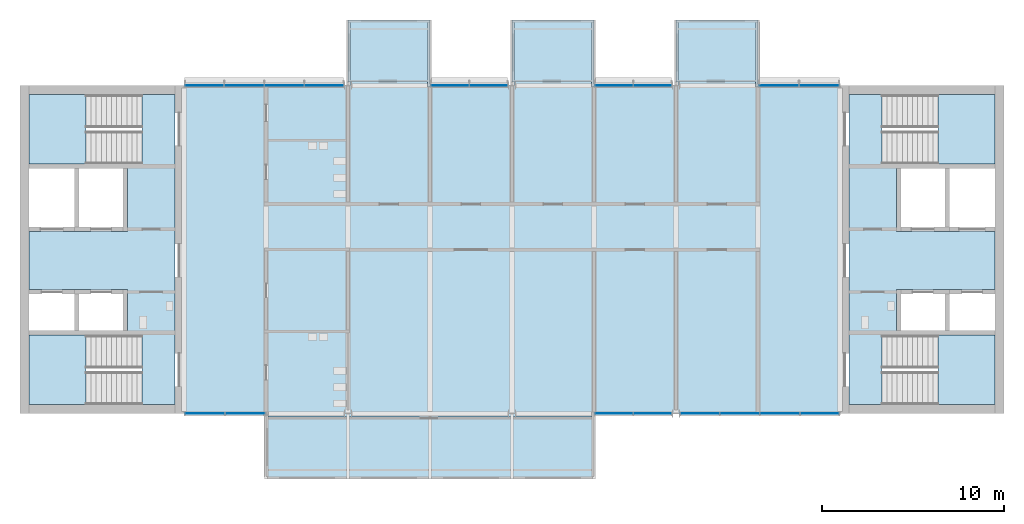
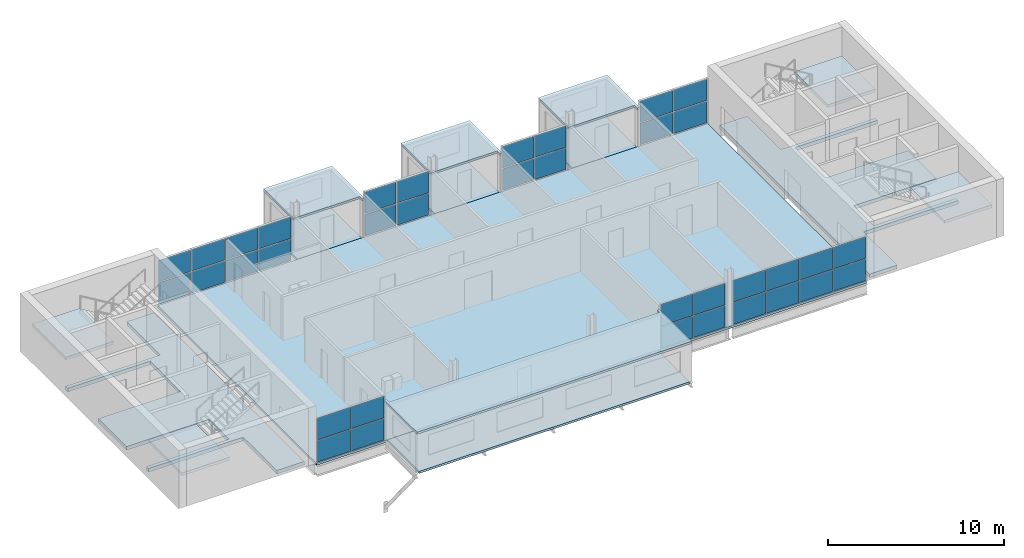
# One storey, part 4 of 12: 36 plates, 15 slabs, 11 elements without a shape of their own.
"""IFC4 building model written with IfcOpenShell, lengths in metres."""

from ifc_helpers import new_model, si_unit, direction, frame, origin, origin_2d, place, context, subcontext, project, spatial, polyline, rectangle, outline, extrude, material, layer, layer_set, type_object, element, aggregate, save


model = new_model("IFC4")

# Units and contexts
model_context = context("Model", 3, precision=1e-05, world=origin(), true_north=direction((0.0, 1.0)))
body_context = subcontext(model_context, "Body", "Model", "MODEL_VIEW")
ifc_project = project(units=[si_unit("LENGTHUNIT", "METRE"), si_unit("AREAUNIT", "SQUARE_METRE"), si_unit("VOLUMEUNIT", "CUBIC_METRE"), si_unit("PLANEANGLEUNIT", "RADIAN"), si_unit("MASSUNIT", "GRAM", prefix="KILO")], contexts=[model_context])

# Site, building, storey
site_placement = place(None, origin())
site = spatial("IfcSite", under=ifc_project, at=site_placement, CompositionType="ELEMENT")
building_placement = place(site_placement, origin())
building = spatial("IfcBuilding", under=site, at=building_placement, Name="Corbel Yard City Hall", CompositionType="ELEMENT")
storey_placement = place(building_placement, frame((0.0, 0.0, 31.199951171875)))
storey = spatial("IfcBuildingStorey", under=building, at=storey_placement, Name="L07", CompositionType="ELEMENT", Elevation=31.199951171875)

# Slabs
ifc_material_1 = material(Name="Concrete N40 (40 MPa)", Category="concrete")
ifc_layer_1 = layer(ifc_material_1, 0.25)
ifc_layer_set_1 = layer_set([ifc_layer_1], Name="Concrete N40 (40 MPa)")
slab_type_1 = type_object("IfcSlabType", Name="CF1", PredefinedType="FLOOR", material=ifc_layer_set_1)
slab_1_placement = place(storey_placement, frame((0.0, 0.0, -0.25)))
element("IfcSlab", 1, at=slab_1_placement, inside=storey, type_object=slab_type_1, Name="Core floor slab", PredefinedType="FLOOR", context=body_context, shape_type="SweptSolid", body=[
    extrude(outline(polyline([(8.5, 116.5), (6.698974609375, 116.5), (6.698974609375, 112.699951171875), (0.5, 112.699951171875), (0.5, 112.449951171875), (5.89990234375, 112.449951171875), (5.89990234375, 109.0), (0.5, 109.0), (0.5, 105.800048828125), (5.89990234375, 105.800048828125), (5.89990234375, 103.550048828125), (0.5, 103.550048828125), (0.5, 103.300048828125), (6.698974609375, 103.300048828125), (6.698974609375, 99.5), (8.5, 99.5), (8.5, 116.5)])), origin(), (0.0, 0.0, 1.0), 0.25),
])
slab_2_placement = place(storey_placement, frame((0.0, 0.0, -0.25)))
element("IfcSlab", 2, at=slab_2_placement, inside=storey, type_object=slab_type_1, Name="Core floor slab", PredefinedType="FLOOR", context=body_context, shape_type="SweptSolid", body=[
    extrude(outline(polyline([(53.5, 103.300048828125), (53.5, 103.550048828125), (48.10009765625, 103.550048828125), (48.10009765625, 105.800048828125), (53.5, 105.800048828125), (53.5, 109.0), (48.10009765625, 109.0), (48.10009765625, 112.449951171875), (53.5, 112.449951171875), (53.5, 112.699951171875), (47.301025390625, 112.699951171875), (47.301025390625, 116.5), (45.5, 116.5), (45.5, 99.5), (47.301025390625, 99.5), (47.301025390625, 103.300048828125), (53.5, 103.300048828125)])), origin(), (0.0, 0.0, 1.0), 0.25),
])
ifc_layer_2 = layer(ifc_material_1, 0.14990234375)
ifc_layer_set_2 = layer_set([ifc_layer_2], Name="Concrete N40 (40 MPa)")
slab_type_2 = type_object("IfcSlabType", Name="Floor slab 150", PredefinedType="FLOOR", material=ifc_layer_set_2)
slab_3_placement = place(storey_placement, frame((0.0, 0.0, -0.14990234375)))
element("IfcSlab", 3, at=slab_3_placement, inside=storey, type_object=slab_type_2, Name="Tower floor slab L07", PredefinedType="FLOOR", context=body_context, shape_type="SweptSolid", body=[
    extrude(outline(polyline([(45.0, 99.0), (45.0, 117.0), (9.0, 117.0), (9.0, 99.0), (45.0, 99.0)])), origin(), (0.0, 0.0, 1.0), 0.14990234375),
])

# Stair, slab
stair_type = type_object("IfcStairType", Name="ST4", PredefinedType="HALF_TURN_STAIR", material=ifc_material_1)
stair_1_placement = place(storey_placement, origin())
stair_1 = element("IfcStair", 4, at=stair_1_placement, inside=storey, type_object=stair_type, Name="Exit stair ST-W1 L07", PredefinedType="HALF_TURN_STAIR")
ifc_layer_3 = layer(ifc_material_1, 0.199951171875)
ifc_layer_set_3 = layer_set([ifc_layer_3], Name="Concrete N40 (40 MPa)")
slab_type_3 = type_object("IfcSlabType", Name="LN1", PredefinedType="LANDING", material=ifc_layer_set_3)
slab_4_placement = place(storey_placement, frame((0.0, 0.0, 1.800048828125)))
slab_4 = element("IfcSlab", 5, at=slab_4_placement, type_object=slab_type_3, Name="ST-W1 landing 1", PredefinedType="LANDING", context=body_context, shape_type="SweptSolid", body=[
    extrude(outline(polyline([(0.5, 99.5), (3.6201171875, 99.5), (3.6201171875, 103.300048828125), (0.5, 103.300048828125), (0.5, 99.5)])), origin(), (0.0, 0.0, 1.0), 0.199951171875),
])
aggregate(stair_1, [slab_4])

stair_2_placement = place(storey_placement, origin())
stair_2 = element("IfcStair", 6, at=stair_2_placement, inside=storey, type_object=stair_type, Name="Exit stair ST-W2 L07", PredefinedType="HALF_TURN_STAIR")
slab_5_placement = place(storey_placement, frame((0.0, 0.0, 1.800048828125)))
slab_5 = element("IfcSlab", 7, at=slab_5_placement, type_object=slab_type_3, Name="ST-W2 landing 1", PredefinedType="LANDING", context=body_context, shape_type="SweptSolid", body=[
    extrude(outline(polyline([(0.5, 112.699951171875), (3.6201171875, 112.699951171875), (3.6201171875, 116.5), (0.5, 116.5), (0.5, 112.699951171875)])), origin(), (0.0, 0.0, 1.0), 0.199951171875),
])
aggregate(stair_2, [slab_5])

stair_3_placement = place(storey_placement, origin())
stair_3 = element("IfcStair", 8, at=stair_3_placement, inside=storey, type_object=stair_type, Name="Exit stair ST-E1 L07", PredefinedType="HALF_TURN_STAIR")
slab_6_placement = place(storey_placement, frame((0.0, 0.0, 1.800048828125)))
slab_6 = element("IfcSlab", 9, at=slab_6_placement, type_object=slab_type_3, Name="ST-E1 landing 1", PredefinedType="LANDING", context=body_context, shape_type="SweptSolid", body=[
    extrude(outline(polyline([(50.3798828125, 99.5), (53.5, 99.5), (53.5, 103.300048828125), (50.3798828125, 103.300048828125), (50.3798828125, 99.5)])), origin(), (0.0, 0.0, 1.0), 0.199951171875),
])
aggregate(stair_3, [slab_6])

stair_4_placement = place(storey_placement, origin())
stair_4 = element("IfcStair", 10, at=stair_4_placement, inside=storey, type_object=stair_type, Name="Exit stair ST-E2 L07", PredefinedType="HALF_TURN_STAIR")
slab_7_placement = place(storey_placement, frame((0.0, 0.0, 1.800048828125)))
slab_7 = element("IfcSlab", 11, at=slab_7_placement, type_object=slab_type_3, Name="ST-E2 landing 1", PredefinedType="LANDING", context=body_context, shape_type="SweptSolid", body=[
    extrude(outline(polyline([(50.3798828125, 112.699951171875), (53.5, 112.699951171875), (53.5, 116.5), (50.3798828125, 116.5), (50.3798828125, 112.699951171875)])), origin(), (0.0, 0.0, 1.0), 0.199951171875),
])
aggregate(stair_4, [slab_7])

# Slabs
ifc_material_2 = material(Name="Concrete N32 (32 MPa)", Category="concrete")
ifc_layer_4 = layer(ifc_material_2, 0.14990234375)
ifc_layer_set_4 = layer_set([ifc_layer_4], Name="Concrete N32 (32 MPa)")
slab_type_4 = type_object("IfcSlabType", Name="PF1", PredefinedType="FLOOR", material=ifc_layer_set_4)
slab_8_placement = place(storey_placement, frame((0.0, 0.0, -0.14990234375)))
element("IfcSlab", 12, at=slab_8_placement, inside=storey, type_object=slab_type_4, Name="Pod floor slab L07", PredefinedType="FLOOR", context=body_context, shape_type="SweptSolid", body=[
    extrude(outline(polyline([(13.64990234375, 95.39990234375), (31.35009765625, 95.39990234375), (31.35009765625, 99.0), (13.64990234375, 99.0), (13.64990234375, 95.39990234375)])), origin(), (0.0, 0.0, 1.0), 0.14990234375),
])
slab_9_placement = place(storey_placement, frame((0.0, 0.0, -0.14990234375)))
element("IfcSlab", 13, at=slab_9_placement, inside=storey, type_object=slab_type_4, Name="Pod floor slab L07", PredefinedType="FLOOR", context=body_context, shape_type="SweptSolid", body=[
    extrude(outline(polyline([(18.14990234375, 117.0), (22.35009765625, 117.0), (22.35009765625, 120.60009765625), (18.14990234375, 120.60009765625), (18.14990234375, 117.0)])), origin(), (0.0, 0.0, 1.0), 0.14990234375),
])
slab_10_placement = place(storey_placement, frame((0.0, 0.0, -0.14990234375)))
element("IfcSlab", 14, at=slab_10_placement, inside=storey, type_object=slab_type_4, Name="Pod floor slab L07", PredefinedType="FLOOR", context=body_context, shape_type="SweptSolid", body=[
    extrude(outline(polyline([(27.14990234375, 117.0), (31.35009765625, 117.0), (31.35009765625, 120.60009765625), (27.14990234375, 120.60009765625), (27.14990234375, 117.0)])), origin(), (0.0, 0.0, 1.0), 0.14990234375),
])
slab_11_placement = place(storey_placement, frame((0.0, 0.0, -0.14990234375)))
element("IfcSlab", 15, at=slab_11_placement, inside=storey, type_object=slab_type_4, Name="Pod floor slab L07", PredefinedType="FLOOR", context=body_context, shape_type="SweptSolid", body=[
    extrude(outline(polyline([(36.14990234375, 117.0), (40.35009765625, 117.0), (40.35009765625, 120.60009765625), (36.14990234375, 120.60009765625), (36.14990234375, 117.0)])), origin(), (0.0, 0.0, 1.0), 0.14990234375),
])
ifc_layer_5 = layer(ifc_material_2, 0.14990234375)
ifc_layer_set_5 = layer_set([ifc_layer_5], Name="Concrete N32 (32 MPa)")
slab_type_5 = type_object("IfcSlabType", Name="PH1", PredefinedType="ROOF", material=ifc_layer_set_5)
slab_12_placement = place(storey_placement, frame((0.0, 0.0, 2.60009765625)))
element("IfcSlab", 16, at=slab_12_placement, inside=storey, type_object=slab_type_5, Name="Pod roof slab L07", PredefinedType="ROOF", context=body_context, shape_type="SweptSolid", body=[
    extrude(outline(polyline([(13.5, 95.39990234375), (31.5, 95.39990234375), (31.5, 99.074951171875), (31.35009765625, 99.074951171875), (31.35009765625, 98.800048828125), (13.64990234375, 98.800048828125), (13.64990234375, 99.074951171875), (13.5, 99.074951171875), (13.5, 95.39990234375)])), origin(), (0.0, 0.0, 1.0), 0.14990234375),
])
slab_13_placement = place(storey_placement, frame((0.0, 0.0, 2.60009765625)))
element("IfcSlab", 17, at=slab_13_placement, inside=storey, type_object=slab_type_5, Name="Pod roof slab L07", PredefinedType="ROOF", context=body_context, shape_type="SweptSolid", body=[
    extrude(outline(polyline([(18.0, 120.60009765625), (18.0, 117.199951171875), (22.35009765625, 117.199951171875), (22.35009765625, 116.909912109375), (22.5, 116.909912109375), (22.5, 120.60009765625), (18.0, 120.60009765625)])), origin(), (0.0, 0.0, 1.0), 0.14990234375),
])
slab_14_placement = place(storey_placement, frame((0.0, 0.0, 2.60009765625)))
element("IfcSlab", 18, at=slab_14_placement, inside=storey, type_object=slab_type_5, Name="Pod roof slab L07", PredefinedType="ROOF", context=body_context, shape_type="SweptSolid", body=[
    extrude(outline(polyline([(27.0, 120.60009765625), (27.0, 117.199951171875), (31.35009765625, 117.199951171875), (31.35009765625, 116.909912109375), (31.5, 116.909912109375), (31.5, 120.60009765625), (27.0, 120.60009765625)])), origin(), (0.0, 0.0, 1.0), 0.14990234375),
])
slab_15_placement = place(storey_placement, frame((0.0, 0.0, 2.60009765625)))
element("IfcSlab", 19, at=slab_15_placement, inside=storey, type_object=slab_type_5, Name="Pod roof slab L07", PredefinedType="ROOF", context=body_context, shape_type="SweptSolid", body=[
    extrude(outline(polyline([(36.0, 120.60009765625), (36.0, 117.199951171875), (40.35009765625, 117.199951171875), (40.35009765625, 116.909912109375), (40.5, 116.909912109375), (40.5, 120.60009765625), (36.0, 120.60009765625)])), origin(), (0.0, 0.0, 1.0), 0.14990234375),
])

# Curtain wall, plates
ifc_material_3 = material(Name="Aluminium extrusion", Category="aluminium")
ifc_layer_6 = layer(ifc_material_3, 0.14990234375)
ifc_layer_set_6 = layer_set([ifc_layer_6], Name="Aluminium extrusion")
curtain_wall_type_1 = type_object("IfcCurtainWallType", Name="CW2", PredefinedType="USERDEFINED", material=ifc_layer_set_6)
curtain_wall_1_placement = place(storey_placement, origin())
curtain_wall_1 = element("IfcCurtainWall", 20, at=curtain_wall_1_placement, inside=storey, type_object=curtain_wall_type_1, Name="Curtain wall CW2 L07", ObjectType="CURTAIN WALL", PredefinedType="USERDEFINED")
ifc_material_4 = material(Name="Double glazed low-e glass unit", Category="glass")
ifc_layer_7 = layer(ifc_material_4, 0.028076171875)
ifc_layer_set_7 = layer_set([ifc_layer_7], Name="Double glazed low-e glass unit")
plate_type_1 = type_object("IfcPlateType", Name="PN2", PredefinedType="CURTAIN_PANEL", material=ifc_layer_set_7)
plate_1_placement = place(storey_placement, frame((10.141357421875, 99.0, 0.06494140625), z_axis=(0.0, 0.0, 1.0), x_axis=(1.0, 0.0, 0.0)))
plate_1 = element("IfcPlate", 21, at=plate_1_placement, type_object=plate_type_1, Name="CW2 panel 1.1", PredefinedType="CURTAIN_PANEL", context=body_context, shape_type="SweptSolid", body=[
    extrude(rectangle(XDim=2.152587890625, YDim=0.028076171875, at=origin_2d()), origin(), (0.0, 0.0, 1.0), 1.4775390625),
])
plate_2_placement = place(storey_placement, frame((10.141357421875, 99.0, 1.607421875), z_axis=(0.0, 0.0, 1.0), x_axis=(1.0, 0.0, 0.0)))
plate_2 = element("IfcPlate", 22, at=plate_2_placement, type_object=plate_type_1, Name="CW2 panel 1.2", PredefinedType="CURTAIN_PANEL", context=body_context, shape_type="SweptSolid", body=[
    extrude(rectangle(XDim=2.152587890625, YDim=0.028076171875, at=origin_2d()), origin(), (0.0, 0.0, 1.0), 1.4775390625),
])
plate_3_placement = place(storey_placement, frame((12.358642578125, 99.0, 0.06494140625), z_axis=(0.0, 0.0, 1.0), x_axis=(1.0, 0.0, 0.0)))
plate_3 = element("IfcPlate", 23, at=plate_3_placement, type_object=plate_type_1, Name="CW2 panel 2.1", PredefinedType="CURTAIN_PANEL", context=body_context, shape_type="SweptSolid", body=[
    extrude(rectangle(XDim=2.152587890625, YDim=0.028076171875, at=origin_2d()), origin(), (0.0, 0.0, 1.0), 1.4775390625),
])
plate_4_placement = place(storey_placement, frame((12.358642578125, 99.0, 1.607421875), z_axis=(0.0, 0.0, 1.0), x_axis=(1.0, 0.0, 0.0)))
plate_4 = element("IfcPlate", 24, at=plate_4_placement, type_object=plate_type_1, Name="CW2 panel 2.2", PredefinedType="CURTAIN_PANEL", context=body_context, shape_type="SweptSolid", body=[
    extrude(rectangle(XDim=2.152587890625, YDim=0.028076171875, at=origin_2d()), origin(), (0.0, 0.0, 1.0), 1.4775390625),
])
aggregate(curtain_wall_1, [plate_1, plate_2, plate_3, plate_4])

curtain_wall_2_placement = place(storey_placement, origin())
curtain_wall_2 = element("IfcCurtainWall", 25, at=curtain_wall_2_placement, inside=storey, type_object=curtain_wall_type_1, Name="Curtain wall CW2 L07", ObjectType="CURTAIN WALL", PredefinedType="USERDEFINED")
plate_5_placement = place(storey_placement, frame((32.589599609375, 99.0, 0.06494140625), z_axis=(0.0, 0.0, 1.0), x_axis=(1.0, 0.0, 0.0)))
plate_5 = element("IfcPlate", 26, at=plate_5_placement, type_object=plate_type_1, Name="CW2 panel 1.1", PredefinedType="CURTAIN_PANEL", context=body_context, shape_type="SweptSolid", body=[
    extrude(rectangle(XDim=2.049072265625, YDim=0.028076171875, at=origin_2d()), origin(), (0.0, 0.0, 1.0), 1.4775390625),
])
plate_6_placement = place(storey_placement, frame((32.589599609375, 99.0, 1.607421875), z_axis=(0.0, 0.0, 1.0), x_axis=(1.0, 0.0, 0.0)))
plate_6 = element("IfcPlate", 27, at=plate_6_placement, type_object=plate_type_1, Name="CW2 panel 1.2", PredefinedType="CURTAIN_PANEL", context=body_context, shape_type="SweptSolid", body=[
    extrude(rectangle(XDim=2.049072265625, YDim=0.028076171875, at=origin_2d()), origin(), (0.0, 0.0, 1.0), 1.4775390625),
])
plate_7_placement = place(storey_placement, frame((34.70361328125, 99.0, 0.06494140625), z_axis=(0.0, 0.0, 1.0), x_axis=(1.0, 0.0, 0.0)))
plate_7 = element("IfcPlate", 28, at=plate_7_placement, type_object=plate_type_1, Name="CW2 panel 2.1", PredefinedType="CURTAIN_PANEL", context=body_context, shape_type="SweptSolid", body=[
    extrude(rectangle(XDim=2.049072265625, YDim=0.028076171875, at=origin_2d()), origin(), (0.0, 0.0, 1.0), 1.4775390625),
])
plate_8_placement = place(storey_placement, frame((34.70361328125, 99.0, 1.607421875), z_axis=(0.0, 0.0, 1.0), x_axis=(1.0, 0.0, 0.0)))
plate_8 = element("IfcPlate", 29, at=plate_8_placement, type_object=plate_type_1, Name="CW2 panel 2.2", PredefinedType="CURTAIN_PANEL", context=body_context, shape_type="SweptSolid", body=[
    extrude(rectangle(XDim=2.049072265625, YDim=0.028076171875, at=origin_2d()), origin(), (0.0, 0.0, 1.0), 1.4775390625),
])
aggregate(curtain_wall_2, [plate_5, plate_6, plate_7, plate_8])

curtain_wall_3_placement = place(storey_placement, origin())
curtain_wall_3 = element("IfcCurtainWall", 30, at=curtain_wall_3_placement, inside=storey, type_object=curtain_wall_type_1, Name="Curtain wall CW2 L07", ObjectType="CURTAIN WALL", PredefinedType="USERDEFINED")
plate_9_placement = place(storey_placement, frame((37.322265625, 99.0, 0.06494140625), z_axis=(0.0, 0.0, 1.0), x_axis=(1.0, 0.0, 0.0)))
plate_9 = element("IfcPlate", 31, at=plate_9_placement, type_object=plate_type_1, Name="CW2 panel 1.1", PredefinedType="CURTAIN_PANEL", context=body_context, shape_type="SweptSolid", body=[
    extrude(rectangle(XDim=2.100830078125, YDim=0.028076171875, at=origin_2d()), origin(), (0.0, 0.0, 1.0), 1.4775390625),
])
plate_10_placement = place(storey_placement, frame((37.322265625, 99.0, 1.607421875), z_axis=(0.0, 0.0, 1.0), x_axis=(1.0, 0.0, 0.0)))
plate_10 = element("IfcPlate", 32, at=plate_10_placement, type_object=plate_type_1, Name="CW2 panel 1.2", PredefinedType="CURTAIN_PANEL", context=body_context, shape_type="SweptSolid", body=[
    extrude(rectangle(XDim=2.100830078125, YDim=0.028076171875, at=origin_2d()), origin(), (0.0, 0.0, 1.0), 1.4775390625),
])
plate_11_placement = place(storey_placement, frame((39.50439453125, 99.0, 0.06494140625), z_axis=(0.0, 0.0, 1.0), x_axis=(1.0, 0.0, 0.0)))
plate_11 = element("IfcPlate", 33, at=plate_11_placement, type_object=plate_type_1, Name="CW2 panel 2.1", PredefinedType="CURTAIN_PANEL", context=body_context, shape_type="SweptSolid", body=[
    extrude(rectangle(XDim=2.13330078125, YDim=0.028076171875, at=origin_2d()), origin(), (0.0, 0.0, 1.0), 1.4775390625),
])
plate_12_placement = place(storey_placement, frame((39.50439453125, 99.0, 1.607421875), z_axis=(0.0, 0.0, 1.0), x_axis=(1.0, 0.0, 0.0)))
plate_12 = element("IfcPlate", 34, at=plate_12_placement, type_object=plate_type_1, Name="CW2 panel 2.2", PredefinedType="CURTAIN_PANEL", context=body_context, shape_type="SweptSolid", body=[
    extrude(rectangle(XDim=2.13330078125, YDim=0.028076171875, at=origin_2d()), origin(), (0.0, 0.0, 1.0), 1.4775390625),
])
plate_13_placement = place(storey_placement, frame((41.70263671875, 99.0, 0.06494140625), z_axis=(0.0, 0.0, 1.0), x_axis=(1.0, 0.0, 0.0)))
plate_13 = element("IfcPlate", 35, at=plate_13_placement, type_object=plate_type_1, Name="CW2 panel 3.1", PredefinedType="CURTAIN_PANEL", context=body_context, shape_type="SweptSolid", body=[
    extrude(rectangle(XDim=2.13330078125, YDim=0.028076171875, at=origin_2d()), origin(), (0.0, 0.0, 1.0), 1.4775390625),
])
plate_14_placement = place(storey_placement, frame((41.70263671875, 99.0, 1.607421875), z_axis=(0.0, 0.0, 1.0), x_axis=(1.0, 0.0, 0.0)))
plate_14 = element("IfcPlate", 36, at=plate_14_placement, type_object=plate_type_1, Name="CW2 panel 3.2", PredefinedType="CURTAIN_PANEL", context=body_context, shape_type="SweptSolid", body=[
    extrude(rectangle(XDim=2.13330078125, YDim=0.028076171875, at=origin_2d()), origin(), (0.0, 0.0, 1.0), 1.4775390625),
])
plate_15_placement = place(storey_placement, frame((43.884521484375, 99.0, 0.06494140625), z_axis=(0.0, 0.0, 1.0), x_axis=(1.0, 0.0, 0.0)))
plate_15 = element("IfcPlate", 37, at=plate_15_placement, type_object=plate_type_1, Name="CW2 panel 4.1", PredefinedType="CURTAIN_PANEL", context=body_context, shape_type="SweptSolid", body=[
    extrude(rectangle(XDim=2.100830078125, YDim=0.028076171875, at=origin_2d()), origin(), (0.0, 0.0, 1.0), 1.4775390625),
])
plate_16_placement = place(storey_placement, frame((43.884521484375, 99.0, 1.607421875), z_axis=(0.0, 0.0, 1.0), x_axis=(1.0, 0.0, 0.0)))
plate_16 = element("IfcPlate", 38, at=plate_16_placement, type_object=plate_type_1, Name="CW2 panel 4.2", PredefinedType="CURTAIN_PANEL", context=body_context, shape_type="SweptSolid", body=[
    extrude(rectangle(XDim=2.100830078125, YDim=0.028076171875, at=origin_2d()), origin(), (0.0, 0.0, 1.0), 1.4775390625),
])
aggregate(curtain_wall_3, [plate_9, plate_10, plate_11, plate_12, plate_13, plate_14, plate_15, plate_16])

ifc_layer_8 = layer(ifc_material_3, 0.179931640625)
ifc_layer_set_8 = layer_set([ifc_layer_8], Name="Aluminium extrusion")
curtain_wall_type_2 = type_object("IfcCurtainWallType", Name="CW6", PredefinedType="USERDEFINED", material=ifc_layer_set_8)
curtain_wall_4_placement = place(storey_placement, origin())
curtain_wall_4 = element("IfcCurtainWall", 39, at=curtain_wall_4_placement, inside=storey, type_object=curtain_wall_type_2, Name="Curtain wall CW6 L07", ObjectType="CURTAIN WALL", PredefinedType="USERDEFINED")
ifc_material_5 = material(Name="Double glazed low-e glass unit, ceramic fritted", Category="glass")
ifc_layer_9 = layer(ifc_material_5, 0.02392578125)
ifc_layer_set_9 = layer_set([ifc_layer_9], Name="Double glazed low-e glass unit, ceramic fritted")
plate_type_2 = type_object("IfcPlateType", Name="PN7", PredefinedType="CURTAIN_PANEL", material=ifc_layer_set_9)
plate_17_placement = place(storey_placement, frame((10.115478515625, 117.0, 0.06494140625), z_axis=(0.0, 0.0, 1.0), x_axis=(1.0, 0.0, 0.0)))
plate_17 = element("IfcPlate", 40, at=plate_17_placement, type_object=plate_type_2, Name="CW6 panel 1.1", PredefinedType="CURTAIN_PANEL", context=body_context, shape_type="SweptSolid", body=[
    extrude(rectangle(XDim=2.100830078125, YDim=0.02392578125, at=origin_2d()), origin(), (0.0, 0.0, 1.0), 1.4775390625),
])
plate_18_placement = place(storey_placement, frame((10.115478515625, 117.0, 1.607421875), z_axis=(0.0, 0.0, 1.0), x_axis=(1.0, 0.0, 0.0)))
plate_18 = element("IfcPlate", 41, at=plate_18_placement, type_object=plate_type_2, Name="CW6 panel 1.2", PredefinedType="CURTAIN_PANEL", context=body_context, shape_type="SweptSolid", body=[
    extrude(rectangle(XDim=2.100830078125, YDim=0.02392578125, at=origin_2d()), origin(), (0.0, 0.0, 1.0), 1.4775390625),
])
plate_19_placement = place(storey_placement, frame((12.29736328125, 117.0, 0.06494140625), z_axis=(0.0, 0.0, 1.0), x_axis=(1.0, 0.0, 0.0)))
plate_19 = element("IfcPlate", 42, at=plate_19_placement, type_object=plate_type_2, Name="CW6 panel 2.1", PredefinedType="CURTAIN_PANEL", context=body_context, shape_type="SweptSolid", body=[
    extrude(rectangle(XDim=2.13330078125, YDim=0.02392578125, at=origin_2d()), origin(), (0.0, 0.0, 1.0), 1.4775390625),
])
plate_20_placement = place(storey_placement, frame((12.29736328125, 117.0, 1.607421875), z_axis=(0.0, 0.0, 1.0), x_axis=(1.0, 0.0, 0.0)))
plate_20 = element("IfcPlate", 43, at=plate_20_placement, type_object=plate_type_2, Name="CW6 panel 2.2", PredefinedType="CURTAIN_PANEL", context=body_context, shape_type="SweptSolid", body=[
    extrude(rectangle(XDim=2.13330078125, YDim=0.02392578125, at=origin_2d()), origin(), (0.0, 0.0, 1.0), 1.4775390625),
])
plate_21_placement = place(storey_placement, frame((14.49560546875, 117.0, 0.06494140625), z_axis=(0.0, 0.0, 1.0), x_axis=(1.0, 0.0, 0.0)))
plate_21 = element("IfcPlate", 44, at=plate_21_placement, type_object=plate_type_2, Name="CW6 panel 3.1", PredefinedType="CURTAIN_PANEL", context=body_context, shape_type="SweptSolid", body=[
    extrude(rectangle(XDim=2.13330078125, YDim=0.02392578125, at=origin_2d()), origin(), (0.0, 0.0, 1.0), 1.4775390625),
])
plate_22_placement = place(storey_placement, frame((14.49560546875, 117.0, 1.607421875), z_axis=(0.0, 0.0, 1.0), x_axis=(1.0, 0.0, 0.0)))
plate_22 = element("IfcPlate", 45, at=plate_22_placement, type_object=plate_type_2, Name="CW6 panel 3.2", PredefinedType="CURTAIN_PANEL", context=body_context, shape_type="SweptSolid", body=[
    extrude(rectangle(XDim=2.13330078125, YDim=0.02392578125, at=origin_2d()), origin(), (0.0, 0.0, 1.0), 1.4775390625),
])
plate_23_placement = place(storey_placement, frame((16.677734375, 117.0, 0.06494140625), z_axis=(0.0, 0.0, 1.0), x_axis=(1.0, 0.0, 0.0)))
plate_23 = element("IfcPlate", 46, at=plate_23_placement, type_object=plate_type_2, Name="CW6 panel 4.1", PredefinedType="CURTAIN_PANEL", context=body_context, shape_type="SweptSolid", body=[
    extrude(rectangle(XDim=2.100830078125, YDim=0.02392578125, at=origin_2d()), origin(), (0.0, 0.0, 1.0), 1.4775390625),
])
plate_24_placement = place(storey_placement, frame((16.677734375, 117.0, 1.607421875), z_axis=(0.0, 0.0, 1.0), x_axis=(1.0, 0.0, 0.0)))
plate_24 = element("IfcPlate", 47, at=plate_24_placement, type_object=plate_type_2, Name="CW6 panel 4.2", PredefinedType="CURTAIN_PANEL", context=body_context, shape_type="SweptSolid", body=[
    extrude(rectangle(XDim=2.100830078125, YDim=0.02392578125, at=origin_2d()), origin(), (0.0, 0.0, 1.0), 1.4775390625),
])
aggregate(curtain_wall_4, [plate_17, plate_18, plate_19, plate_20, plate_21, plate_22, plate_23, plate_24])

curtain_wall_5_placement = place(storey_placement, origin())
curtain_wall_5 = element("IfcCurtainWall", 48, at=curtain_wall_5_placement, inside=storey, type_object=curtain_wall_type_2, Name="Curtain wall CW6 L07", ObjectType="CURTAIN WALL", PredefinedType="USERDEFINED")
plate_25_placement = place(storey_placement, frame((23.589599609375, 117.0, 0.06494140625), z_axis=(0.0, 0.0, 1.0), x_axis=(1.0, 0.0, 0.0)))
plate_25 = element("IfcPlate", 49, at=plate_25_placement, type_object=plate_type_2, Name="CW6 panel 1.1", PredefinedType="CURTAIN_PANEL", context=body_context, shape_type="SweptSolid", body=[
    extrude(rectangle(XDim=2.049072265625, YDim=0.02392578125, at=origin_2d()), origin(), (0.0, 0.0, 1.0), 1.4775390625),
])
plate_26_placement = place(storey_placement, frame((23.589599609375, 117.0, 1.607421875), z_axis=(0.0, 0.0, 1.0), x_axis=(1.0, 0.0, 0.0)))
plate_26 = element("IfcPlate", 50, at=plate_26_placement, type_object=plate_type_2, Name="CW6 panel 1.2", PredefinedType="CURTAIN_PANEL", context=body_context, shape_type="SweptSolid", body=[
    extrude(rectangle(XDim=2.049072265625, YDim=0.02392578125, at=origin_2d()), origin(), (0.0, 0.0, 1.0), 1.4775390625),
])
plate_27_placement = place(storey_placement, frame((25.70361328125, 117.0, 0.06494140625), z_axis=(0.0, 0.0, 1.0), x_axis=(1.0, 0.0, 0.0)))
plate_27 = element("IfcPlate", 51, at=plate_27_placement, type_object=plate_type_2, Name="CW6 panel 2.1", PredefinedType="CURTAIN_PANEL", context=body_context, shape_type="SweptSolid", body=[
    extrude(rectangle(XDim=2.049072265625, YDim=0.02392578125, at=origin_2d()), origin(), (0.0, 0.0, 1.0), 1.4775390625),
])
plate_28_placement = place(storey_placement, frame((25.70361328125, 117.0, 1.607421875), z_axis=(0.0, 0.0, 1.0), x_axis=(1.0, 0.0, 0.0)))
plate_28 = element("IfcPlate", 52, at=plate_28_placement, type_object=plate_type_2, Name="CW6 panel 2.2", PredefinedType="CURTAIN_PANEL", context=body_context, shape_type="SweptSolid", body=[
    extrude(rectangle(XDim=2.049072265625, YDim=0.02392578125, at=origin_2d()), origin(), (0.0, 0.0, 1.0), 1.4775390625),
])
aggregate(curtain_wall_5, [plate_25, plate_26, plate_27, plate_28])

curtain_wall_6_placement = place(storey_placement, origin())
curtain_wall_6 = element("IfcCurtainWall", 53, at=curtain_wall_6_placement, inside=storey, type_object=curtain_wall_type_2, Name="Curtain wall CW6 L07", ObjectType="CURTAIN WALL", PredefinedType="USERDEFINED")
plate_29_placement = place(storey_placement, frame((32.589599609375, 117.0, 0.06494140625), z_axis=(0.0, 0.0, 1.0), x_axis=(1.0, 0.0, 0.0)))
plate_29 = element("IfcPlate", 54, at=plate_29_placement, type_object=plate_type_2, Name="CW6 panel 1.1", PredefinedType="CURTAIN_PANEL", context=body_context, shape_type="SweptSolid", body=[
    extrude(rectangle(XDim=2.049072265625, YDim=0.02392578125, at=origin_2d()), origin(), (0.0, 0.0, 1.0), 1.4775390625),
])
plate_30_placement = place(storey_placement, frame((32.589599609375, 117.0, 1.607421875), z_axis=(0.0, 0.0, 1.0), x_axis=(1.0, 0.0, 0.0)))
plate_30 = element("IfcPlate", 55, at=plate_30_placement, type_object=plate_type_2, Name="CW6 panel 1.2", PredefinedType="CURTAIN_PANEL", context=body_context, shape_type="SweptSolid", body=[
    extrude(rectangle(XDim=2.049072265625, YDim=0.02392578125, at=origin_2d()), origin(), (0.0, 0.0, 1.0), 1.4775390625),
])
plate_31_placement = place(storey_placement, frame((34.70361328125, 117.0, 0.06494140625), z_axis=(0.0, 0.0, 1.0), x_axis=(1.0, 0.0, 0.0)))
plate_31 = element("IfcPlate", 56, at=plate_31_placement, type_object=plate_type_2, Name="CW6 panel 2.1", PredefinedType="CURTAIN_PANEL", context=body_context, shape_type="SweptSolid", body=[
    extrude(rectangle(XDim=2.049072265625, YDim=0.02392578125, at=origin_2d()), origin(), (0.0, 0.0, 1.0), 1.4775390625),
])
plate_32_placement = place(storey_placement, frame((34.70361328125, 117.0, 1.607421875), z_axis=(0.0, 0.0, 1.0), x_axis=(1.0, 0.0, 0.0)))
plate_32 = element("IfcPlate", 57, at=plate_32_placement, type_object=plate_type_2, Name="CW6 panel 2.2", PredefinedType="CURTAIN_PANEL", context=body_context, shape_type="SweptSolid", body=[
    extrude(rectangle(XDim=2.049072265625, YDim=0.02392578125, at=origin_2d()), origin(), (0.0, 0.0, 1.0), 1.4775390625),
])
aggregate(curtain_wall_6, [plate_29, plate_30, plate_31, plate_32])

curtain_wall_7_placement = place(storey_placement, origin())
curtain_wall_7 = element("IfcCurtainWall", 58, at=curtain_wall_7_placement, inside=storey, type_object=curtain_wall_type_2, Name="Curtain wall CW6 L07", ObjectType="CURTAIN WALL", PredefinedType="USERDEFINED")
plate_33_placement = place(storey_placement, frame((41.641357421875, 117.0, 0.06494140625), z_axis=(0.0, 0.0, 1.0), x_axis=(1.0, 0.0, 0.0)))
plate_33 = element("IfcPlate", 59, at=plate_33_placement, type_object=plate_type_2, Name="CW6 panel 1.1", PredefinedType="CURTAIN_PANEL", context=body_context, shape_type="SweptSolid", body=[
    extrude(rectangle(XDim=2.152587890625, YDim=0.02392578125, at=origin_2d()), origin(), (0.0, 0.0, 1.0), 1.4775390625),
])
plate_34_placement = place(storey_placement, frame((41.641357421875, 117.0, 1.607421875), z_axis=(0.0, 0.0, 1.0), x_axis=(1.0, 0.0, 0.0)))
plate_34 = element("IfcPlate", 60, at=plate_34_placement, type_object=plate_type_2, Name="CW6 panel 1.2", PredefinedType="CURTAIN_PANEL", context=body_context, shape_type="SweptSolid", body=[
    extrude(rectangle(XDim=2.152587890625, YDim=0.02392578125, at=origin_2d()), origin(), (0.0, 0.0, 1.0), 1.4775390625),
])
plate_35_placement = place(storey_placement, frame((43.858642578125, 117.0, 0.06494140625), z_axis=(0.0, 0.0, 1.0), x_axis=(1.0, 0.0, 0.0)))
plate_35 = element("IfcPlate", 61, at=plate_35_placement, type_object=plate_type_2, Name="CW6 panel 2.1", PredefinedType="CURTAIN_PANEL", context=body_context, shape_type="SweptSolid", body=[
    extrude(rectangle(XDim=2.152587890625, YDim=0.02392578125, at=origin_2d()), origin(), (0.0, 0.0, 1.0), 1.4775390625),
])
plate_36_placement = place(storey_placement, frame((43.858642578125, 117.0, 1.607421875), z_axis=(0.0, 0.0, 1.0), x_axis=(1.0, 0.0, 0.0)))
plate_36 = element("IfcPlate", 62, at=plate_36_placement, type_object=plate_type_2, Name="CW6 panel 2.2", PredefinedType="CURTAIN_PANEL", context=body_context, shape_type="SweptSolid", body=[
    extrude(rectangle(XDim=2.152587890625, YDim=0.02392578125, at=origin_2d()), origin(), (0.0, 0.0, 1.0), 1.4775390625),
])
aggregate(curtain_wall_7, [plate_33, plate_34, plate_35, plate_36])

save(model, "model.ifc")
